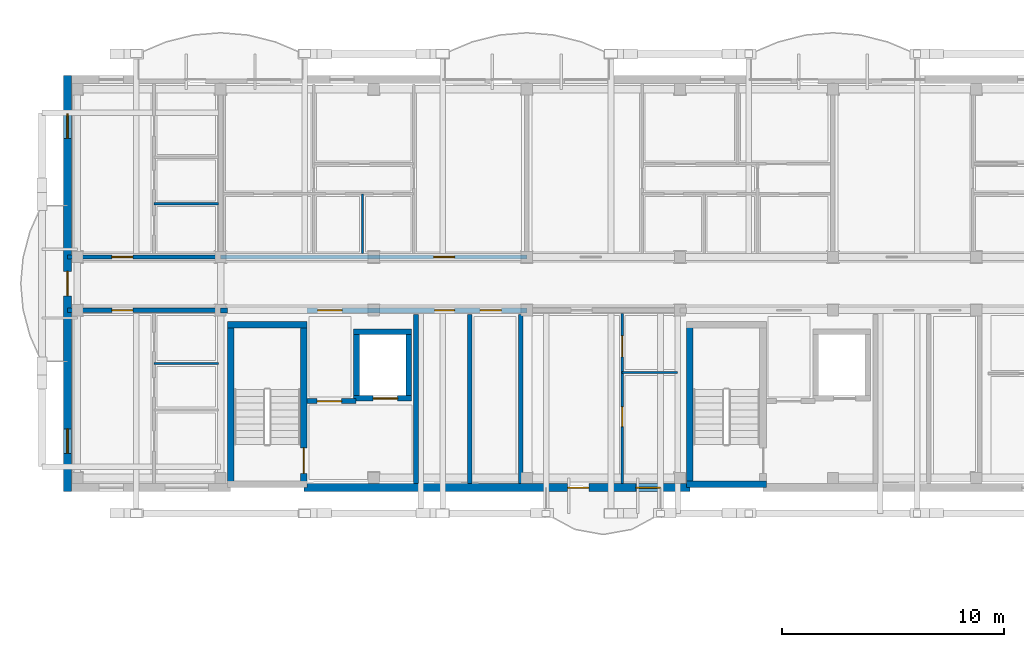
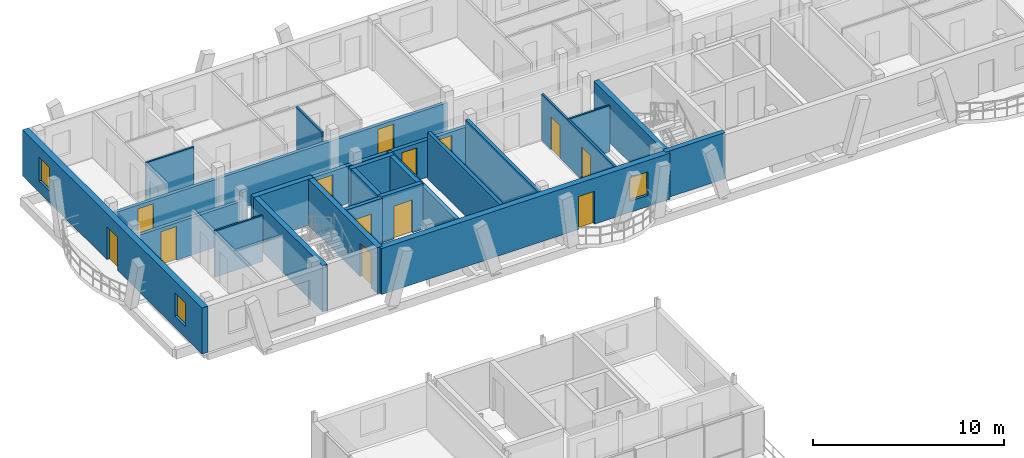
# One storey, part 72 of 109: 25 walls, 13 doors, 3 windows, 16 openings.
"""IFC4 building model written with IfcOpenShell, lengths in metres."""

from ifc_helpers import new_model, si_unit, direction, frame, frame_2d, origin, origin_with_axes, place, context, subcontext, project, spatial, rectangle, extrude, material, layer, layer_set, type_object, element, fill, save


model = new_model("IFC4")

# Units and contexts
model_context = context("Model", 3, precision=1e-05, world=origin(), true_north=direction((0.0, 1.0)))
body_context = subcontext(model_context, "Body", "Model", "MODEL_VIEW")
ifc_project = project(units=[si_unit("LENGTHUNIT", "METRE"), si_unit("AREAUNIT", "SQUARE_METRE"), si_unit("VOLUMEUNIT", "CUBIC_METRE"), si_unit("PLANEANGLEUNIT", "RADIAN"), si_unit("MASSUNIT", "GRAM", prefix="KILO")], contexts=[model_context])

# Site, building, storey
site_placement = place(None, origin())
site = spatial("IfcSite", under=ifc_project, at=site_placement, CompositionType="ELEMENT")
building_placement = place(site_placement, origin())
building = spatial("IfcBuilding", under=site, at=building_placement, Name="Zavelmont Quarter", CompositionType="ELEMENT")
storey_placement = place(building_placement, frame((0.0, 0.0, 8.0)))
storey = spatial("IfcBuildingStorey", under=building, at=storey_placement, Name="L02", CompositionType="ELEMENT", Elevation=8.0)

# Wall, openings, door, window
ifc_material_1 = material(Name="Natural Belgian limestone", Category="masonry")
ifc_layer_1 = layer(ifc_material_1, 0.360107421875)
ifc_layer_set_1 = layer_set([ifc_layer_1], Name="Natural Belgian limestone")
wall_type_1 = type_object("IfcWallType", Name="EW02", PredefinedType="STANDARD", material=ifc_layer_set_1)
wall_1_placement = place(storey_placement, frame((10.64990234375, 97.60009765625, 0.0), z_axis=(0.0, 0.0, 1.0), x_axis=(1.0, 0.0, 0.0)))
wall_1 = element("IfcWall", 1, at=wall_1_placement, inside=storey, type_object=wall_type_1, Name="L02 exterior limestone wall EW02", PredefinedType="STANDARD", context=body_context, shape_type="SweptSolid", body=[
    extrude(rectangle(XDim=17.400146484375, YDim=0.360107421875, at=frame_2d((8.7001953125, 0.0))), origin(), (0.0, 0.0, 1.0), 2.93994140625),
])
opening_1_placement = place(wall_1_placement, frame((11.892578125, 0.0, 0.0)))
opening_1 = element("IfcOpeningElement", 2, at=opening_1_placement, cuts=wall_1, Name="Opening DR04", PredefinedType="OPENING", context=body_context, shape_type="SweptSolid", body=[
    extrude(rectangle(XDim=0.949951171875, YDim=2.10009765625, at=frame_2d((0.47509765625, 1.050048828125))), frame((0.0, 0.19189453125, 0.0), z_axis=(0.0, -1.0, 0.0), x_axis=(1.0, 0.0, 0.0)), (0.0, 0.0, 1.0), 0.384033203125),
])
opening_2_placement = place(wall_1_placement, frame((14.969970703125, 0.0, 0.719970703125)))
opening_2 = element("IfcOpeningElement", 3, at=opening_2_placement, cuts=wall_1, Name="Opening WN09", PredefinedType="OPENING", context=body_context, shape_type="SweptSolid", body=[
    extrude(rectangle(XDim=1.10009765625, YDim=1.5, at=frame_2d((0.550048828125, 0.75))), frame((0.0, 0.19189453125, 0.0), z_axis=(0.0, -1.0, 0.0), x_axis=(1.0, 0.0, 0.0)), (0.0, 0.0, 1.0), 0.384033203125),
])
ifc_material_2 = material(Name="Thermally broken aluminium and double safety glass", Category="aluminium")
door_type_1 = type_object("IfcDoorType", Name="DR04", OperationType="NOTDEFINED", PredefinedType="DOOR", material=ifc_material_2)
door_1_placement = place(opening_1_placement, origin_with_axes())
door_1 = element("IfcDoor", 4, at=door_1_placement, inside=storey, type_object=door_type_1, Name="Block B L02 glazed balcony door", OperationType="SINGLE_SWING_RIGHT", OverallHeight=2.10009765625, OverallWidth=0.949951171875, PredefinedType="DOOR", context=body_context, shape_type="SweptSolid", body=[
    extrude(rectangle(XDim=0.949951171875, YDim=2.10009765625, at=frame_2d((0.47509765625, 1.050048828125))), frame((0.0, 0.02490234375, 0.0), z_axis=(0.0, -1.0, 0.0), x_axis=(1.0, 0.0, 0.0)), (0.0, 0.0, 1.0), 0.050048828125),
])
fill(opening_1, door_1)
ifc_material_3 = material(Name="Double low-E insulated glazing in thermally broken aluminium frame", Category="aluminium")
window_type = type_object("IfcWindowType", Name="WN09", PartitioningType="SINGLE_PANEL", PredefinedType="WINDOW", material=ifc_material_3)
window_1_placement = place(opening_2_placement, origin_with_axes())
window_1 = element("IfcWindow", 5, at=window_1_placement, inside=storey, type_object=window_type, Name="L02 window WN09", OverallHeight=1.5, OverallWidth=1.10009765625, PartitioningType="SINGLE_PANEL", PredefinedType="WINDOW", context=body_context, shape_type="SweptSolid", body=[
    extrude(rectangle(XDim=1.10009765625, YDim=1.5, at=frame_2d((0.550048828125, 0.75))), frame((0.0, 0.030029296875, 0.0), z_axis=(0.0, -1.0, 0.0), x_axis=(1.0, 0.0, 0.0)), (0.0, 0.0, 1.0), 0.06005859375),
])
fill(opening_2, window_1)

# Wall, openings, door, windows
wall_2_placement = place(storey_placement, frame((0.0, 97.419921875, 0.0), z_axis=(0.0, 0.0, 1.0), x_axis=(0.0, 1.0, 0.0)))
wall_2 = element("IfcWall", 6, at=wall_2_placement, inside=storey, type_object=wall_type_1, Name="L02 exterior limestone wall EW02", PredefinedType="STANDARD", context=body_context, shape_type="SweptSolid", body=[
    extrude(rectangle(XDim=18.760009765625, YDim=0.360107421875, at=frame_2d((9.3798828125, 0.0))), origin(), (0.0, 0.0, 1.0), 2.93994140625),
])
opening_3_placement = place(wall_2_placement, frame((8.830078125, 0.0, 0.0)))
opening_3 = element("IfcOpeningElement", 7, at=opening_3_placement, cuts=wall_2, Name="Opening DR04B", PredefinedType="OPENING", context=body_context, shape_type="SweptSolid", body=[
    extrude(rectangle(XDim=1.10009765625, YDim=2.10009765625, at=frame_2d((0.550048828125, 1.050048828125))), frame((0.0, 0.19189453125, 0.0), z_axis=(0.0, -1.0, 0.0), x_axis=(1.0, 0.0, 0.0)), (0.0, 0.0, 1.0), 0.384033203125),
])
opening_4_placement = place(wall_2_placement, frame((1.72998046875, 0.0, 0.719970703125)))
opening_4 = element("IfcOpeningElement", 8, at=opening_4_placement, cuts=wall_2, Name="Opening WN09", PredefinedType="OPENING", context=body_context, shape_type="SweptSolid", body=[
    extrude(rectangle(XDim=1.10009765625, YDim=1.5, at=frame_2d((0.550048828125, 0.75))), frame((0.0, 0.19189453125, 0.0), z_axis=(0.0, -1.0, 0.0), x_axis=(1.0, 0.0, 0.0)), (0.0, 0.0, 1.0), 0.384033203125),
])
opening_5_placement = place(wall_2_placement, frame((15.929931640625, 0.0, 0.719970703125)))
opening_5 = element("IfcOpeningElement", 9, at=opening_5_placement, cuts=wall_2, Name="Opening WN09", PredefinedType="OPENING", context=body_context, shape_type="SweptSolid", body=[
    extrude(rectangle(XDim=1.10009765625, YDim=1.5, at=frame_2d((0.550048828125, 0.75))), frame((0.0, 0.19189453125, 0.0), z_axis=(0.0, -1.0, 0.0), x_axis=(1.0, 0.0, 0.0)), (0.0, 0.0, 1.0), 0.384033203125),
])
door_type_2 = type_object("IfcDoorType", Name="DR04B", OperationType="NOTDEFINED", PredefinedType="DOOR", material=ifc_material_2)
door_2_placement = place(opening_3_placement, frame((1.10009765625, 0.0, 0.0), z_axis=(0.0, 0.0, 1.0), x_axis=(-1.0, 0.0, 0.0)))
door_2 = element("IfcDoor", 10, at=door_2_placement, inside=storey, type_object=door_type_2, Name="Block B L02 terrace or vase balcony door", OperationType="SINGLE_SWING_RIGHT", OverallHeight=2.10009765625, OverallWidth=1.10009765625, PredefinedType="DOOR", context=body_context, shape_type="SweptSolid", body=[
    extrude(rectangle(XDim=1.10009765625, YDim=2.10009765625, at=frame_2d((0.550048828125, 1.050048828125))), frame((0.0, 0.02490234375, 0.0), z_axis=(0.0, -1.0, 0.0), x_axis=(1.0, 0.0, 0.0)), (0.0, 0.0, 1.0), 0.050048828125),
])
fill(opening_3, door_2)
window_2_placement = place(opening_4_placement, origin_with_axes())
window_2 = element("IfcWindow", 11, at=window_2_placement, inside=storey, type_object=window_type, Name="L02 window WN09", OverallHeight=1.5, OverallWidth=1.10009765625, PartitioningType="SINGLE_PANEL", PredefinedType="WINDOW", context=body_context, shape_type="SweptSolid", body=[
    extrude(rectangle(XDim=1.10009765625, YDim=1.5, at=frame_2d((0.550048828125, 0.75))), frame((0.0, 0.030029296875, 0.0), z_axis=(0.0, -1.0, 0.0), x_axis=(1.0, 0.0, 0.0)), (0.0, 0.0, 1.0), 0.06005859375),
])
fill(opening_4, window_2)
window_3_placement = place(opening_5_placement, origin_with_axes())
window_3 = element("IfcWindow", 12, at=window_3_placement, inside=storey, type_object=window_type, Name="L02 window WN09", OverallHeight=1.5, OverallWidth=1.10009765625, PartitioningType="SINGLE_PANEL", PredefinedType="WINDOW", context=body_context, shape_type="SweptSolid", body=[
    extrude(rectangle(XDim=1.10009765625, YDim=1.5, at=frame_2d((0.550048828125, 0.75))), frame((0.0, 0.030029296875, 0.0), z_axis=(0.0, -1.0, 0.0), x_axis=(1.0, 0.0, 0.0)), (0.0, 0.0, 1.0), 0.06005859375),
])
fill(opening_5, window_3)

# Walls
ifc_material_4 = material(Name="Calcium-silicate blockwork and acoustic plaster", Category="masonry")
ifc_layer_2 = layer(ifc_material_4, 0.199951171875)
ifc_layer_set_2 = layer_set([ifc_layer_2], Name="Calcium-silicate blockwork and acoustic plaster")
wall_type_2 = type_object("IfcWallType", Name="IW01", PredefinedType="PARTITIONING", material=ifc_layer_set_2)
for number, where, z_axis, x_axis, name in (
    (13, (18.125, 97.800048828125, 0.0), (0.0, 0.0, 1.0), (0.0, 1.0, 0.0), "L02 Service riser divider wall IW01"),
    (14, (20.419921875, 97.800048828125, 0.0), (0.0, 0.0, 1.0), (0.0, 1.0, 0.0), "L02 Core service end wall IW01"),
):
    element("IfcWall", number, at=place(storey_placement, frame(where, z_axis=z_axis, x_axis=x_axis)), inside=storey, type_object=wall_type_2, Name=name, PredefinedType="PARTITIONING", context=body_context, shape_type="SweptSolid", body=[
        extrude(rectangle(XDim=7.599853515625, YDim=0.199951171875, at=frame_2d((3.7998046875, 0.0))), origin(), (0.0, 0.0, 1.0), 2.93994140625),
    ])

# Wall, opening, door
wall_3_placement = place(storey_placement, frame((0.0, 108.0, 0.0), z_axis=(0.0, 0.0, 1.0), x_axis=(1.0, 0.0, 0.0)))
wall_3 = element("IfcWall", 15, at=wall_3_placement, inside=storey, type_object=wall_type_2, Name="L02 Corridor compartment wall IW01", PredefinedType="PARTITIONING", context=body_context, shape_type="SweptSolid", body=[
    extrude(rectangle(XDim=6.89990234375, YDim=0.199951171875, at=frame_2d((3.449951171875, 0.0))), origin(), (0.0, 0.0, 1.0), 2.3798828125),
])
opening_6_placement = place(wall_3_placement, frame((2.0, 0.0, 0.0)))
opening_6 = element("IfcOpeningElement", 16, at=opening_6_placement, cuts=wall_3, Name="Opening DR02", PredefinedType="OPENING", context=body_context, shape_type="SweptSolid", body=[
    extrude(rectangle(XDim=0.949951171875, YDim=2.14990234375, at=frame_2d((0.47509765625, 1.074951171875))), frame((0.0, 0.11181640625, 0.0), z_axis=(0.0, -1.0, 0.0), x_axis=(1.0, 0.0, 0.0)), (0.0, 0.0, 1.0), 0.223876953125),
])
ifc_material_5 = material(Name="Solid-core oak fire leaf in steel frame", Category="steel")
door_type_3 = type_object("IfcDoorType", Name="DR02", OperationType="NOTDEFINED", PredefinedType="DOOR", material=ifc_material_5)
door_3_placement = place(opening_6_placement, origin_with_axes())
door_3 = element("IfcDoor", 17, at=door_3_placement, inside=storey, type_object=door_type_3, Name="L02 door DR02", OperationType="SINGLE_SWING_RIGHT", OverallHeight=2.14990234375, OverallWidth=0.949951171875, PredefinedType="DOOR", context=body_context, shape_type="SweptSolid", body=[
    extrude(rectangle(XDim=0.949951171875, YDim=2.14990234375, at=frame_2d((0.47509765625, 1.074951171875))), frame((0.0, 0.02490234375, 0.0), z_axis=(0.0, -1.0, 0.0), x_axis=(1.0, 0.0, 0.0)), (0.0, 0.0, 1.0), 0.050048828125),
])
fill(opening_6, door_3)

wall_4_placement = place(storey_placement, frame((6.89990234375, 108.0, 0.0), z_axis=(0.0, 0.0, 1.0), x_axis=(1.0, 0.0, 0.0)))
wall_4 = element("IfcWall", 18, at=wall_4_placement, inside=storey, type_object=wall_type_2, Name="L02 Corridor compartment wall IW01", PredefinedType="PARTITIONING", context=body_context, shape_type="SweptSolid", body=[
    extrude(rectangle(XDim=13.800048828125, YDim=0.199951171875, at=frame_2d((6.89990234375, 0.0))), origin(), (0.0, 0.0, 1.0), 2.3798828125),
])
opening_7_placement = place(wall_4_placement, frame((9.60009765625, 0.0, 0.0)))
opening_7 = element("IfcOpeningElement", 19, at=opening_7_placement, cuts=wall_4, Name="Opening DR02", PredefinedType="OPENING", context=body_context, shape_type="SweptSolid", body=[
    extrude(rectangle(XDim=0.949951171875, YDim=2.14990234375, at=frame_2d((0.47509765625, 1.074951171875))), frame((0.0, 0.11181640625, 0.0), z_axis=(0.0, -1.0, 0.0), x_axis=(1.0, 0.0, 0.0)), (0.0, 0.0, 1.0), 0.223876953125),
])
door_4_placement = place(opening_7_placement, origin_with_axes())
door_4 = element("IfcDoor", 20, at=door_4_placement, inside=storey, type_object=door_type_3, Name="L02 door DR02", OperationType="SINGLE_SWING_LEFT", OverallHeight=2.14990234375, OverallWidth=0.949951171875, PredefinedType="DOOR", context=body_context, shape_type="SweptSolid", body=[
    extrude(rectangle(XDim=0.949951171875, YDim=2.14990234375, at=frame_2d((0.47509765625, 1.074951171875))), frame((0.0, 0.02490234375, 0.0), z_axis=(0.0, -1.0, 0.0), x_axis=(1.0, 0.0, 0.0)), (0.0, 0.0, 1.0), 0.050048828125),
])
fill(opening_7, door_4)

wall_5_placement = place(storey_placement, frame((0.0, 105.60009765625, 0.0), z_axis=(0.0, 0.0, 1.0), x_axis=(1.0, 0.0, 0.0)))
wall_5 = element("IfcWall", 21, at=wall_5_placement, inside=storey, type_object=wall_type_2, Name="L02 Corridor compartment wall IW01", PredefinedType="PARTITIONING", context=body_context, shape_type="SweptSolid", body=[
    extrude(rectangle(XDim=6.89990234375, YDim=0.199951171875, at=frame_2d((3.449951171875, 0.0))), origin(), (0.0, 0.0, 1.0), 2.3798828125),
])
opening_8_placement = place(wall_5_placement, frame((2.0, 0.0, 0.0)))
opening_8 = element("IfcOpeningElement", 22, at=opening_8_placement, cuts=wall_5, Name="Opening DR02", PredefinedType="OPENING", context=body_context, shape_type="SweptSolid", body=[
    extrude(rectangle(XDim=0.949951171875, YDim=2.14990234375, at=frame_2d((0.47509765625, 1.074951171875))), frame((0.0, 0.11181640625, 0.0), z_axis=(0.0, -1.0, 0.0), x_axis=(1.0, 0.0, 0.0)), (0.0, 0.0, 1.0), 0.223876953125),
])
door_5_placement = place(opening_8_placement, frame((0.949951171875, 0.0, 0.0), z_axis=(0.0, 0.0, 1.0), x_axis=(-1.0, 0.0, 0.0)))
door_5 = element("IfcDoor", 23, at=door_5_placement, inside=storey, type_object=door_type_3, Name="L02 door DR02", OperationType="SINGLE_SWING_RIGHT", OverallHeight=2.14990234375, OverallWidth=0.949951171875, PredefinedType="DOOR", context=body_context, shape_type="SweptSolid", body=[
    extrude(rectangle(XDim=0.949951171875, YDim=2.14990234375, at=frame_2d((0.47509765625, 1.074951171875))), frame((0.0, 0.02490234375, 0.0), z_axis=(0.0, -1.0, 0.0), x_axis=(1.0, 0.0, 0.0)), (0.0, 0.0, 1.0), 0.050048828125),
])
fill(opening_8, door_5)

# Wall
ifc_material_6 = material(Name="Reinforced masonry fire compartment wall", Category="masonry")
ifc_layer_3 = layer(ifc_material_6, 0.22509765625)
ifc_layer_set_3 = layer_set([ifc_layer_3], Name="Reinforced masonry fire compartment wall")
wall_type_3 = type_object("IfcWallType", Name="IW02", PredefinedType="PARTITIONING", material=ifc_layer_set_3)
wall_6_placement = place(storey_placement, frame((15.7099609375, 97.800048828125, 0.0), z_axis=(0.0, 0.0, 1.0), x_axis=(0.0, 1.0, 0.0)))
element("IfcWall", 24, at=wall_6_placement, inside=storey, type_object=wall_type_3, Name="L02 Firefighting lobby enclosure wall IW02", PredefinedType="PARTITIONING", context=body_context, shape_type="SweptSolid", body=[
    extrude(rectangle(XDim=7.599853515625, YDim=0.22509765625, at=frame_2d((3.7998046875, 0.0))), origin(), (0.0, 0.0, 1.0), 2.590087890625),
])

# Wall, opening, door
wall_7_placement = place(storey_placement, frame((10.800048828125, 101.5, 0.0), z_axis=(0.0, 0.0, 1.0), x_axis=(1.0, 0.0, 0.0)))
wall_7 = element("IfcWall", 25, at=wall_7_placement, inside=storey, type_object=wall_type_3, Name="L02 Firefighting lobby threshold wall IW02", PredefinedType="PARTITIONING", context=body_context, shape_type="SweptSolid", body=[
    extrude(rectangle(XDim=2.199951171875, YDim=0.22509765625, at=frame_2d((1.10009765625, 0.0))), origin(), (0.0, 0.0, 1.0), 2.93994140625),
])
opening_9_placement = place(wall_7_placement, frame((0.449951171875, 0.0, 0.0)))
opening_9 = element("IfcOpeningElement", 26, at=opening_9_placement, cuts=wall_7, Name="Opening DR10", PredefinedType="OPENING", context=body_context, shape_type="SweptSolid", body=[
    extrude(rectangle(XDim=1.10009765625, YDim=2.14990234375, at=frame_2d((0.550048828125, 1.074951171875))), frame((0.0, 0.12451171875, 0.0), z_axis=(0.0, -1.0, 0.0), x_axis=(1.0, 0.0, 0.0)), (0.0, 0.0, 1.0), 0.2490234375),
])
ifc_material_7 = material(Name="Painted steel lobby fire door", Category="steel")
door_type_4 = type_object("IfcDoorType", Name="DR10", OperationType="NOTDEFINED", PredefinedType="DOOR", material=ifc_material_7)
door_6_placement = place(opening_9_placement, frame((1.10009765625, 0.0, 0.0), z_axis=(0.0, 0.0, 1.0), x_axis=(-1.0, 0.0, 0.0)))
door_6 = element("IfcDoor", 27, at=door_6_placement, inside=storey, type_object=door_type_4, Name="Firefighting lobby fire door", OperationType="SINGLE_SWING_RIGHT", OverallHeight=2.14990234375, OverallWidth=1.10009765625, PredefinedType="DOOR", context=body_context, shape_type="SweptSolid", body=[
    extrude(rectangle(XDim=1.10009765625, YDim=2.14990234375, at=frame_2d((0.550048828125, 1.074951171875))), frame((0.0, 0.02490234375, 0.0), z_axis=(0.0, -1.0, 0.0), x_axis=(1.0, 0.0, 0.0)), (0.0, 0.0, 1.0), 0.050048828125),
])
fill(opening_9, door_6)

# Wall
wall_8_placement = place(storey_placement, frame((6.89990234375, 105.60009765625, 0.0), z_axis=(0.0, 0.0, 1.0), x_axis=(1.0, 0.0, 0.0)))
element("IfcWall", 28, at=wall_8_placement, inside=storey, type_object=wall_type_3, Name="L02 Core corridor wall IW02", PredefinedType="PARTITIONING", context=body_context, shape_type="SweptSolid", body=[
    extrude(rectangle(XDim=0.300048828125, YDim=0.22509765625, at=frame_2d((0.14990234375, 0.0))), origin(), (0.0, 0.0, 1.0), 2.93994140625),
])

# Wall, openings, doors
wall_9_placement = place(storey_placement, frame((10.800048828125, 105.60009765625, 0.0), z_axis=(0.0, 0.0, 1.0), x_axis=(1.0, 0.0, 0.0)))
wall_9 = element("IfcWall", 29, at=wall_9_placement, inside=storey, type_object=wall_type_3, Name="L02 Core corridor fire wall IW02", PredefinedType="PARTITIONING", context=body_context, shape_type="SweptSolid", body=[
    extrude(rectangle(XDim=9.89990234375, YDim=0.22509765625, at=frame_2d((4.949951171875, 0.0))), origin(), (0.0, 0.0, 1.0), 2.3798828125),
])
opening_10_placement = place(wall_9_placement, frame((0.47509765625, 0.0, 0.0)))
opening_10 = element("IfcOpeningElement", 30, at=opening_10_placement, cuts=wall_9, Name="Opening DR10", PredefinedType="OPENING", context=body_context, shape_type="SweptSolid", body=[
    extrude(rectangle(XDim=1.10009765625, YDim=2.14990234375, at=frame_2d((0.550048828125, 1.074951171875))), frame((0.0, 0.12451171875, 0.0), z_axis=(0.0, -1.0, 0.0), x_axis=(1.0, 0.0, 0.0)), (0.0, 0.0, 1.0), 0.2490234375),
])
opening_11_placement = place(wall_9_placement, frame((5.75, 0.0, 0.0)))
opening_11 = element("IfcOpeningElement", 31, at=opening_11_placement, cuts=wall_9, Name="Opening DR11", PredefinedType="OPENING", context=body_context, shape_type="SweptSolid", body=[
    extrude(rectangle(XDim=0.89990234375, YDim=2.10009765625, at=frame_2d((0.449951171875, 1.050048828125))), frame((0.0, 0.12451171875, 0.0), z_axis=(0.0, -1.0, 0.0), x_axis=(1.0, 0.0, 0.0)), (0.0, 0.0, 1.0), 0.2490234375),
])
opening_12_placement = place(wall_9_placement, frame((7.800048828125, 0.0, 0.0)))
opening_12 = element("IfcOpeningElement", 32, at=opening_12_placement, cuts=wall_9, Name="Opening DR02", PredefinedType="OPENING", context=body_context, shape_type="SweptSolid", body=[
    extrude(rectangle(XDim=0.949951171875, YDim=2.14990234375, at=frame_2d((0.47509765625, 1.074951171875))), frame((0.0, 0.12451171875, 0.0), z_axis=(0.0, -1.0, 0.0), x_axis=(1.0, 0.0, 0.0)), (0.0, 0.0, 1.0), 0.2490234375),
])
door_7_placement = place(opening_12_placement, origin_with_axes())
door_7 = element("IfcDoor", 33, at=door_7_placement, inside=storey, type_object=door_type_3, Name="Auxiliary store corridor door", OperationType="SINGLE_SWING_RIGHT", OverallHeight=2.14990234375, OverallWidth=0.949951171875, PredefinedType="DOOR", context=body_context, shape_type="SweptSolid", body=[
    extrude(rectangle(XDim=0.949951171875, YDim=2.14990234375, at=frame_2d((0.47509765625, 1.074951171875))), frame((0.0, 0.02490234375, 0.0), z_axis=(0.0, -1.0, 0.0), x_axis=(1.0, 0.0, 0.0)), (0.0, 0.0, 1.0), 0.050048828125),
])
fill(opening_12, door_7)
door_8_placement = place(opening_10_placement, frame((1.10009765625, 0.0, 0.0), z_axis=(0.0, 0.0, 1.0), x_axis=(-1.0, 0.0, 0.0)))
door_8 = element("IfcDoor", 34, at=door_8_placement, inside=storey, type_object=door_type_4, Name="Core vestibule fire door", OperationType="SINGLE_SWING_LEFT", OverallHeight=2.14990234375, OverallWidth=1.10009765625, PredefinedType="DOOR", context=body_context, shape_type="SweptSolid", body=[
    extrude(rectangle(XDim=1.10009765625, YDim=2.14990234375, at=frame_2d((0.550048828125, 1.074951171875))), frame((0.0, 0.02490234375, 0.0), z_axis=(0.0, -1.0, 0.0), x_axis=(1.0, 0.0, 0.0)), (0.0, 0.0, 1.0), 0.050048828125),
])
fill(opening_10, door_8)
ifc_material_8 = material(Name="Painted steel service-riser fire door", Category="steel")
door_type_5 = type_object("IfcDoorType", Name="DR11", OperationType="NOTDEFINED", PredefinedType="DOOR", material=ifc_material_8)
door_9_placement = place(opening_11_placement, origin_with_axes())
door_9 = element("IfcDoor", 35, at=door_9_placement, inside=storey, type_object=door_type_5, Name="Service riser fire door", OperationType="SINGLE_SWING_LEFT", OverallHeight=2.10009765625, OverallWidth=0.89990234375, PredefinedType="DOOR", context=body_context, shape_type="SweptSolid", body=[
    extrude(rectangle(XDim=0.89990234375, YDim=2.10009765625, at=frame_2d((0.449951171875, 1.050048828125))), frame((0.0, 0.02490234375, 0.0), z_axis=(0.0, -1.0, 0.0), x_axis=(1.0, 0.0, 0.0)), (0.0, 0.0, 1.0), 0.050048828125),
])
fill(opening_11, door_9)

ifc_material_9 = material(Name="Double gypsum board on acoustic steel stud", Category="steel")
ifc_layer_4 = layer(ifc_material_9, 0.125)
ifc_layer_set_4 = layer_set([ifc_layer_4], Name="Double gypsum board on acoustic steel stud")
wall_type_4 = type_object("IfcWallType", Name="IW03", PredefinedType="PARTITIONING", material=ifc_layer_set_4)
wall_10_placement = place(storey_placement, frame((25.0, 105.449951171875, 0.0), z_axis=(0.0, 0.0, 1.0), x_axis=(0.0, -1.0, 0.0)))
wall_10 = element("IfcWall", 36, at=wall_10_placement, inside=storey, type_object=wall_type_4, Name="L02 Partition IW03", PredefinedType="PARTITIONING", context=body_context, shape_type="SweptSolid", body=[
    extrude(rectangle(XDim=7.64990234375, YDim=0.125, at=frame_2d((3.824951171875, 0.0))), origin(), (0.0, 0.0, 1.0), 2.93994140625),
])
opening_13_placement = place(wall_10_placement, frame((1.0, 0.0, 0.0)))
opening_13 = element("IfcOpeningElement", 37, at=opening_13_placement, cuts=wall_10, Name="Opening DR17", PredefinedType="OPENING", context=body_context, shape_type="SweptSolid", body=[
    extrude(rectangle(XDim=0.949951171875, YDim=2.10009765625, at=frame_2d((0.47509765625, 1.050048828125))), frame((0.0, 0.074462890625, 0.0), z_axis=(0.0, -1.0, 0.0), x_axis=(1.0, 0.0, 0.0)), (0.0, 0.0, 1.0), 0.14892578125),
])
opening_14_placement = place(wall_10_placement, frame((4.199951171875, 0.0, 0.0)))
opening_14 = element("IfcOpeningElement", 38, at=opening_14_placement, cuts=wall_10, Name="Opening DR05", PredefinedType="OPENING", context=body_context, shape_type="SweptSolid", body=[
    extrude(rectangle(XDim=0.89990234375, YDim=2.10009765625, at=frame_2d((0.449951171875, 1.050048828125))), frame((0.0, 0.074462890625, 0.0), z_axis=(0.0, -1.0, 0.0), x_axis=(1.0, 0.0, 0.0)), (0.0, 0.0, 1.0), 0.14892578125),
])
ifc_material_10 = material(Name="Engineered oak flush interior door")
door_type_6 = type_object("IfcDoorType", Name="DR05", OperationType="NOTDEFINED", PredefinedType="DOOR", material=ifc_material_10)
door_10_placement = place(opening_14_placement, frame((0.89990234375, 0.0, 0.0), z_axis=(0.0, 0.0, 1.0), x_axis=(-1.0, 0.0, 0.0)))
door_10 = element("IfcDoor", 39, at=door_10_placement, inside=storey, type_object=door_type_6, Name="L02 door DR05", OperationType="SINGLE_SWING_LEFT", OverallHeight=2.10009765625, OverallWidth=0.89990234375, PredefinedType="DOOR", context=body_context, shape_type="SweptSolid", body=[
    extrude(rectangle(XDim=0.89990234375, YDim=2.10009765625, at=frame_2d((0.449951171875, 1.050048828125))), frame((0.0, 0.02490234375, 0.0), z_axis=(0.0, -1.0, 0.0), x_axis=(1.0, 0.0, 0.0)), (0.0, 0.0, 1.0), 0.050048828125),
])
fill(opening_14, door_10)
ifc_material_11 = material(Name="Accessible washroom flush door")
door_type_7 = type_object("IfcDoorType", Name="DR17", OperationType="NOTDEFINED", PredefinedType="DOOR", material=ifc_material_11)
door_11_placement = place(opening_13_placement, origin_with_axes())
door_11 = element("IfcDoor", 40, at=door_11_placement, inside=storey, type_object=door_type_7, Name="L02 door DR17", OperationType="SINGLE_SWING_RIGHT", OverallHeight=2.10009765625, OverallWidth=0.949951171875, PredefinedType="DOOR", context=body_context, shape_type="SweptSolid", body=[
    extrude(rectangle(XDim=0.949951171875, YDim=2.10009765625, at=frame_2d((0.47509765625, 1.050048828125))), frame((0.0, 0.02490234375, 0.0), z_axis=(0.0, -1.0, 0.0), x_axis=(1.0, 0.0, 0.0)), (0.0, 0.0, 1.0), 0.050048828125),
])
fill(opening_13, door_11)

# Walls
ifc_material_12 = material(Name="Moisture-resistant gypsum board on steel stud", Category="steel")
ifc_layer_5 = layer(ifc_material_12, 0.10009765625)
ifc_layer_set_5 = layer_set([ifc_layer_5], Name="Moisture-resistant gypsum board on steel stud")
wall_type_5 = type_object("IfcWallType", Name="IW04", PredefinedType="PARTITIONING", material=ifc_layer_set_5)
wall_11_placement = place(storey_placement, frame((3.89990234375, 110.39990234375, 0.0), z_axis=(0.0, 0.0, 1.0), x_axis=(1.0, 0.0, 0.0)))
element("IfcWall", 41, at=wall_11_placement, inside=storey, type_object=wall_type_5, Name="L02 Partition IW04", PredefinedType="PARTITIONING", context=body_context, shape_type="SweptSolid", body=[
    extrude(rectangle(XDim=2.900146484375, YDim=0.10009765625, at=frame_2d((1.4501953125, 0.0))), origin(), (0.0, 0.0, 1.0), 2.93994140625),
])
wall_12_placement = place(storey_placement, frame((13.300048828125, 108.14990234375, 0.0), z_axis=(0.0, 0.0, 1.0), x_axis=(0.0, 1.0, 0.0)))
element("IfcWall", 42, at=wall_12_placement, inside=storey, type_object=wall_type_5, Name="L02 Partition IW04", PredefinedType="PARTITIONING", context=body_context, shape_type="SweptSolid", body=[
    extrude(rectangle(XDim=2.7001953125, YDim=0.10009765625, at=frame_2d((1.35009765625, 0.0))), origin(), (0.0, 0.0, 1.0), 2.93994140625),
])
wall_13_placement = place(storey_placement, frame((3.89990234375, 103.199951171875, 0.0), z_axis=(0.0, 0.0, 1.0), x_axis=(1.0, 0.0, 0.0)))
element("IfcWall", 43, at=wall_13_placement, inside=storey, type_object=wall_type_5, Name="L02 Partition IW04", PredefinedType="PARTITIONING", context=body_context, shape_type="SweptSolid", body=[
    extrude(rectangle(XDim=2.900146484375, YDim=0.10009765625, at=frame_2d((1.4501953125, 0.0))), origin(), (0.0, 0.0, 1.0), 2.93994140625),
])
wall_14_placement = place(storey_placement, frame((25.0, 102.800048828125, 0.0), z_axis=(0.0, 0.0, 1.0), x_axis=(1.0, 0.0, 0.0)))
element("IfcWall", 44, at=wall_14_placement, inside=storey, type_object=wall_type_5, Name="L02 Partition IW04", PredefinedType="PARTITIONING", context=body_context, shape_type="SweptSolid", body=[
    extrude(rectangle(XDim=2.5, YDim=0.10009765625, at=frame_2d((1.25, 0.0))), origin(), (0.0, 0.0, 1.0), 2.93994140625),
])
ifc_material_13 = material(Name="Concrete C40/50", Category="concrete")
ifc_layer_6 = layer(ifc_material_13, 0.300048828125)
ifc_layer_set_6 = layer_set([ifc_layer_6], Name="Concrete C40/50")
wall_type_6 = type_object("IfcWallType", Name="SW01", PredefinedType="SHEAR", material=ifc_layer_set_6)
wall_15_placement = place(storey_placement, frame((7.199951171875, 104.949951171875, 0.0), z_axis=(0.0, 0.0, 1.0), x_axis=(1.0, 0.0, 0.0)))
element("IfcWall", 45, at=wall_15_placement, inside=storey, type_object=wall_type_6, Name="L02 ST03 corridor shear wall SW01", PredefinedType="SHEAR", context=body_context, shape_type="SweptSolid", body=[
    extrude(rectangle(XDim=3.60009765625, YDim=0.300048828125, at=frame_2d((1.800048828125, 0.0))), origin(), (0.0, 0.0, 1.0), 2.93994140625),
])
wall_16_placement = place(storey_placement, frame((7.35009765625, 97.60009765625, 0.0), z_axis=(0.0, 0.0, 1.0), x_axis=(0.0, 1.0, 0.0)))
element("IfcWall", 46, at=wall_16_placement, inside=storey, type_object=wall_type_6, Name="L02 ST03 west shear wall SW01", PredefinedType="SHEAR", context=body_context, shape_type="SweptSolid", body=[
    extrude(rectangle(XDim=7.5, YDim=0.300048828125, at=frame_2d((3.75, 0.0))), origin(), (0.0, 0.0, 1.0), 2.93994140625),
])

# Wall, opening, door
wall_17_placement = place(storey_placement, frame((10.64990234375, 97.60009765625, 0.0), z_axis=(0.0, 0.0, 1.0), x_axis=(0.0, 1.0, 0.0)))
wall_17 = element("IfcWall", 47, at=wall_17_placement, inside=storey, type_object=wall_type_6, Name="L02 ST03 lobby shear wall SW01", PredefinedType="SHEAR", context=body_context, shape_type="SweptSolid", body=[
    extrude(rectangle(XDim=7.5, YDim=0.300048828125, at=frame_2d((3.75, 0.0))), origin(), (0.0, 0.0, 1.0), 2.93994140625),
])
opening_15_placement = place(wall_17_placement, frame((0.64990234375, 0.0, 0.0)))
opening_15 = element("IfcOpeningElement", 48, at=opening_15_placement, cuts=wall_17, Name="Opening DR09", PredefinedType="OPENING", context=body_context, shape_type="SweptSolid", body=[
    extrude(rectangle(XDim=1.14990234375, YDim=2.14990234375, at=frame_2d((0.574951171875, 1.074951171875))), frame((0.0, 0.162109375, 0.0), z_axis=(0.0, -1.0, 0.0), x_axis=(1.0, 0.0, 0.0)), (0.0, 0.0, 1.0), 0.323974609375),
])
ifc_material_14 = material(Name="Painted steel stair-core fire door", Category="steel")
door_type_8 = type_object("IfcDoorType", Name="DR09", OperationType="NOTDEFINED", PredefinedType="DOOR", material=ifc_material_14)
door_12_placement = place(opening_15_placement, origin_with_axes())
door_12 = element("IfcDoor", 49, at=door_12_placement, inside=storey, type_object=door_type_8, Name="ST03 protected stair door", OperationType="SINGLE_SWING_RIGHT", OverallHeight=2.14990234375, OverallWidth=1.14990234375, PredefinedType="DOOR", context=body_context, shape_type="SweptSolid", body=[
    extrude(rectangle(XDim=1.14990234375, YDim=2.14990234375, at=frame_2d((0.574951171875, 1.074951171875))), frame((0.0, 0.02490234375, 0.0), z_axis=(0.0, -1.0, 0.0), x_axis=(1.0, 0.0, 0.0)), (0.0, 0.0, 1.0), 0.050048828125),
])
fill(opening_15, door_12)

# Wall
wall_18_placement = place(storey_placement, frame((28.050048828125, 97.60009765625, 0.0), z_axis=(0.0, 0.0, 1.0), x_axis=(0.0, 1.0, 0.0)))
element("IfcWall", 50, at=wall_18_placement, inside=storey, type_object=wall_type_6, Name="L02 ST04 west shear wall SW01", PredefinedType="SHEAR", context=body_context, shape_type="SweptSolid", body=[
    extrude(rectangle(XDim=7.5, YDim=0.300048828125, at=frame_2d((3.75, 0.0))), origin(), (0.0, 0.0, 1.0), 2.93994140625),
])

# Wall, opening, door
ifc_layer_7 = layer(ifc_material_13, 0.25)
ifc_layer_set_7 = layer_set([ifc_layer_7], Name="Concrete C40/50")
wall_type_7 = type_object("IfcWallType", Name="SW02", PredefinedType="SHEAR", material=ifc_layer_set_7)
wall_19_placement = place(storey_placement, frame((12.89990234375, 101.625, 0.0), z_axis=(0.0, 0.0, 1.0), x_axis=(1.0, 0.0, 0.0)))
wall_19 = element("IfcWall", 51, at=wall_19_placement, inside=storey, type_object=wall_type_7, Name="L02 Lift FL02 landing shaft wall SW02", PredefinedType="SHEAR", context=body_context, shape_type="SweptSolid", body=[
    extrude(rectangle(XDim=2.60009765625, YDim=0.25, at=frame_2d((1.300048828125, 0.0))), origin(), (0.0, 0.0, 1.0), 2.93994140625),
])
opening_16_placement = place(wall_19_placement, frame((0.875, 0.0, 0.0)))
opening_16 = element("IfcOpeningElement", 52, at=opening_16_placement, cuts=wall_19, Name="Opening LD02", PredefinedType="OPENING", context=body_context, shape_type="SweptSolid", body=[
    extrude(rectangle(XDim=1.10009765625, YDim=2.10009765625, at=frame_2d((0.550048828125, 1.050048828125))), frame((0.0, 0.136962890625, 0.0), z_axis=(0.0, -1.0, 0.0), x_axis=(1.0, 0.0, 0.0)), (0.0, 0.0, 1.0), 0.27392578125),
])
ifc_material_15 = material(Name="Brushed stainless-steel firefighting lift landing door", Category="steel")
door_type_9 = type_object("IfcDoorType", Name="LD02", OperationType="SLIDING_TO_LEFT", PredefinedType="DOOR", material=ifc_material_15)
door_13_placement = place(opening_16_placement, origin_with_axes())
door_13 = element("IfcDoor", 53, at=door_13_placement, inside=storey, type_object=door_type_9, Name="Lift FL02 sliding landing door", OperationType="SLIDING_TO_LEFT", OverallHeight=2.10009765625, OverallWidth=1.10009765625, PredefinedType="DOOR", context=body_context, shape_type="SweptSolid", body=[
    extrude(rectangle(XDim=1.10009765625, YDim=2.10009765625, at=frame_2d((0.550048828125, 1.050048828125))), frame((0.0, 0.02490234375, 0.0), z_axis=(0.0, -1.0, 0.0), x_axis=(1.0, 0.0, 0.0)), (0.0, 0.0, 1.0), 0.050048828125),
])
fill(opening_16, door_13)

# Walls
wall_20_placement = place(storey_placement, frame((12.89990234375, 104.625, 0.0), z_axis=(0.0, 0.0, 1.0), x_axis=(1.0, 0.0, 0.0)))
element("IfcWall", 54, at=wall_20_placement, inside=storey, type_object=wall_type_7, Name="L02 Lift FL02 back shaft wall SW02", PredefinedType="SHEAR", context=body_context, shape_type="SweptSolid", body=[
    extrude(rectangle(XDim=2.60009765625, YDim=0.25, at=frame_2d((1.300048828125, 0.0))), origin(), (0.0, 0.0, 1.0), 2.93994140625),
])
for number, where, z_axis, x_axis, name in (
    (55, (13.02490234375, 101.5, 0.0), (0.0, 0.0, 1.0), (0.0, 1.0, 0.0), "L02 Lift FL02 west shaft wall SW02"),
    (56, (15.375, 101.5, 0.0), (0.0, 0.0, 1.0), (0.0, 1.0, 0.0), "L02 Lift FL02 east shaft wall SW02"),
):
    element("IfcWall", number, at=place(storey_placement, frame(where, z_axis=z_axis, x_axis=x_axis)), inside=storey, type_object=wall_type_7, Name=name, PredefinedType="SHEAR", context=body_context, shape_type="SweptSolid", body=[
        extrude(rectangle(XDim=3.25, YDim=0.25, at=frame_2d((1.625, 0.0))), origin(), (0.0, 0.0, 1.0), 2.93994140625),
    ])
ifc_layer_8 = layer(ifc_material_13, 0.300048828125)
ifc_layer_set_8 = layer_set([ifc_layer_8], Name="Concrete C40/50")
wall_type_8 = type_object("IfcWallType", Name="SW03", PredefinedType="SHEAR", material=ifc_layer_set_8)
wall_21_placement = place(storey_placement, frame((27.89990234375, 97.75, 0.0), z_axis=(0.0, 0.0, 1.0), x_axis=(1.0, 0.0, 0.0)))
element("IfcWall", 57, at=wall_21_placement, inside=storey, type_object=wall_type_8, Name="L02 ST04 outer shear wall SW03", PredefinedType="SHEAR", context=body_context, shape_type="SweptSolid", body=[
    extrude(rectangle(XDim=3.60009765625, YDim=0.300048828125, at=frame_2d((1.800048828125, 0.0))), origin(), (0.0, 0.0, 1.0), 2.93994140625),
])

save(model, "model.ifc")
